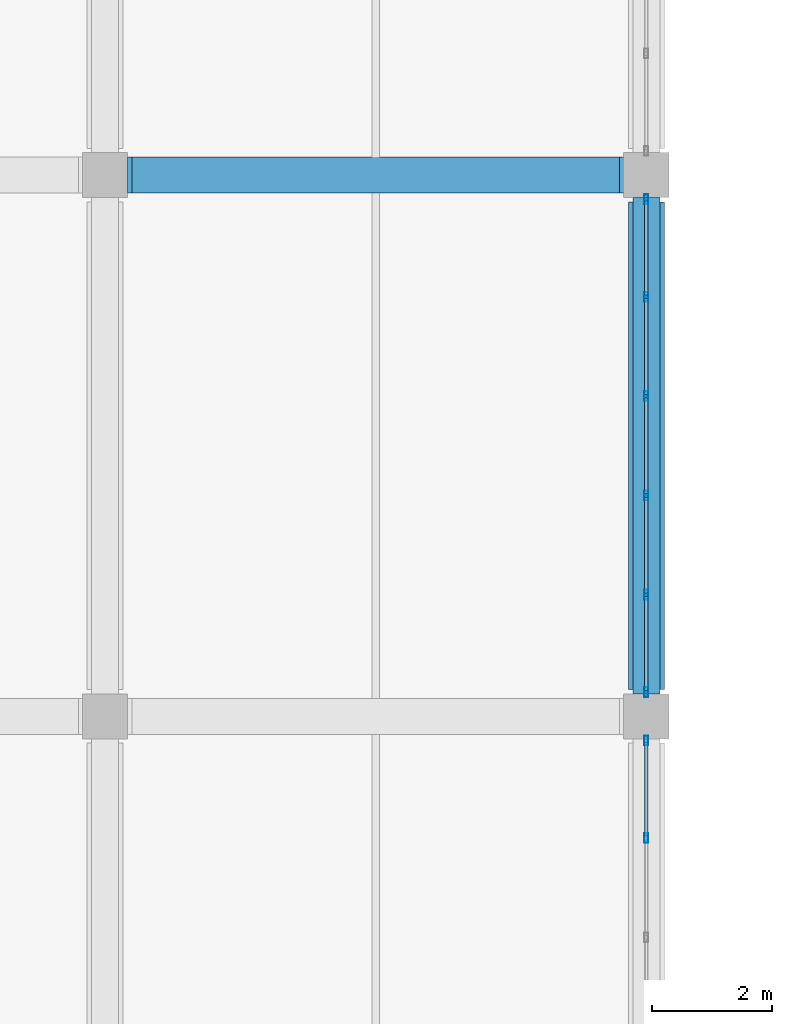
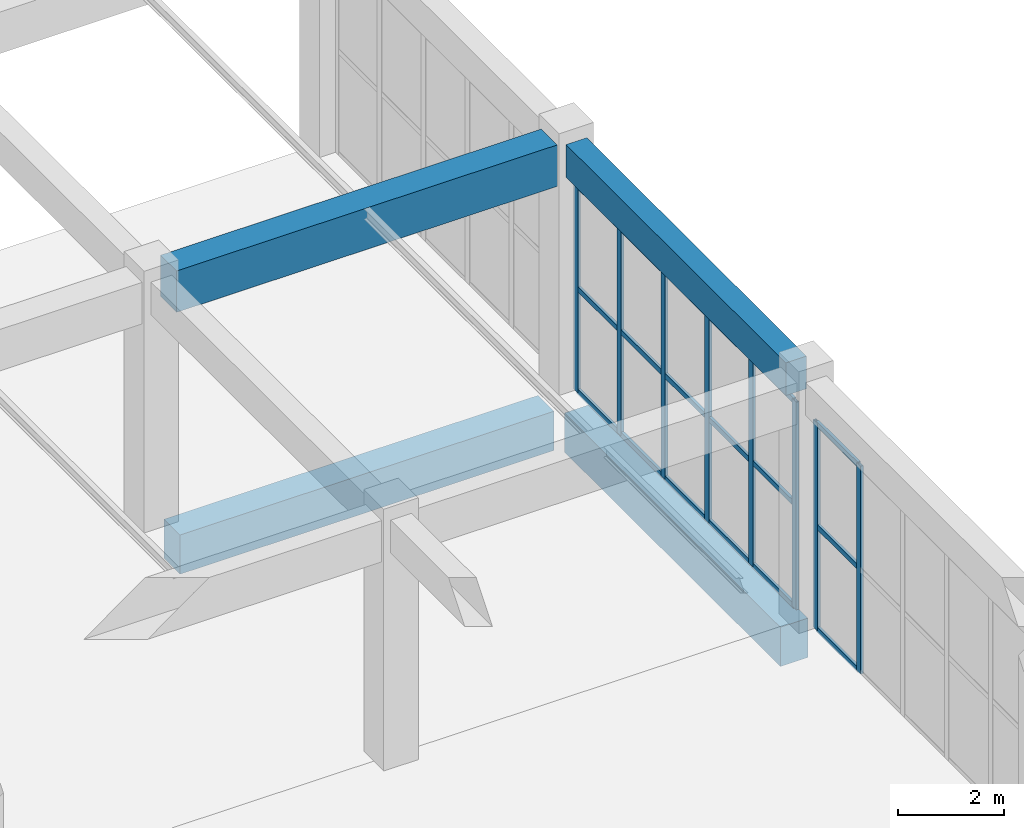
# One storey, part 49 of 91: 26 members, 4 beams, 2 elements without a shape of their own.
"""IFC4 building model written with IfcOpenShell, lengths in metres."""

from ifc_helpers import new_model, si_unit, direction, frame, origin, origin_2d, place, context, subcontext, project, spatial, rectangle, hollow_rectangle, extrude, material, layer, layer_set, material_profile, profile_set, type_object, element, aggregate, save


model = new_model("IFC4")

# Units and contexts
model_context = context("Model", 3, precision=1e-05, world=origin(), true_north=direction((0.0, 1.0)))
body_context = subcontext(model_context, "Body", "Model", "MODEL_VIEW")
ifc_project = project(units=[si_unit("LENGTHUNIT", "METRE"), si_unit("AREAUNIT", "SQUARE_METRE"), si_unit("VOLUMEUNIT", "CUBIC_METRE"), si_unit("PLANEANGLEUNIT", "RADIAN"), si_unit("MASSUNIT", "GRAM", prefix="KILO")], contexts=[model_context])

# Site, building, storey
site_placement = place(None, origin())
site = spatial("IfcSite", under=ifc_project, at=site_placement, CompositionType="ELEMENT")
building_placement = place(site_placement, origin())
building = spatial("IfcBuilding", under=site, at=building_placement, Name="Dornveld Trade and Exhibition Forum", CompositionType="ELEMENT")
storey_placement = place(building_placement, origin())
storey = spatial("IfcBuildingStorey", under=building, at=storey_placement, Name="L00", CompositionType="ELEMENT", Elevation=0.0)

# Beams
ifc_material_1 = material(Name="Concrete C40/50", Category="concrete")
ifc_material_profile_1 = material_profile(ifc_material_1, rectangle(XDim=0.60009765625, YDim=0.89990234375, at=origin_2d()), Name="RC-GB 600x900")
ifc_profile_set_1 = profile_set([ifc_material_profile_1], Name="Concrete C40/50")
beam_type_1 = type_object("IfcBeamType", Name="BM-GB-600x900", PredefinedType="BEAM", material=ifc_profile_set_1)
for number, where, z_axis, x_axis, name in (
    (1, (207.446044921875, 135.0, -0.830078125), (1.0, 0.0, 0.0), (0.0, 1.0, 0.0), "L00 X-girder 541"),
    (2, (216.0, 126.446044921875, -0.830078125), (0.0, 1.0, 0.0), (-1.0, 0.0, 0.0), "L00 Y-girder 565"),
):
    element("IfcBeam", number, at=place(storey_placement, frame(where, z_axis=z_axis, x_axis=x_axis)), inside=storey, type_object=beam_type_1, Name=name, PredefinedType="BEAM", context=body_context, shape_type="SweptSolid", body=[
        extrude(rectangle(XDim=0.60009765625, YDim=0.89990234375, at=origin_2d()), origin(), (0.0, 0.0, 1.0), 8.10791015625),
    ])
ifc_material_2 = material(Name="Precast concrete C50/60", Category="concrete")
ifc_material_profile_2 = material_profile(ifc_material_2, rectangle(XDim=0.449951171875, YDim=0.75, at=origin_2d()), Name="PC-BM 450x750")
ifc_profile_set_2 = profile_set([ifc_material_profile_2], Name="Precast concrete C50/60")
beam_type_2 = type_object("IfcBeamType", Name="BM-PC-450x750", PredefinedType="BEAM", material=ifc_profile_set_2)
beam_1_placement = place(storey_placement, frame((216.0, 126.37109375, 5.324951171875), z_axis=(0.0, 1.0, 0.0), x_axis=(-1.0, 0.0, 0.0)))
element("IfcBeam", 3, at=beam_1_placement, inside=storey, type_object=beam_type_2, Name="L00 Y-girder 1001", PredefinedType="BEAM", context=body_context, shape_type="SweptSolid", body=[
    extrude(rectangle(XDim=0.449951171875, YDim=0.75, at=origin_2d()), origin(), (0.0, 0.0, 1.0), 8.2578125),
])
ifc_material_3 = material(Name="Precast concrete C50/60", Category="concrete")
ifc_material_profile_3 = material_profile(ifc_material_3, rectangle(XDim=0.60009765625, YDim=0.949951171875, at=origin_2d()), Name="PC-GIR 600x950")
ifc_profile_set_3 = profile_set([ifc_material_profile_3], Name="Precast concrete C50/60")
beam_type_3 = type_object("IfcBeamType", Name="BM-PC-600x950", PredefinedType="T_BEAM", material=ifc_profile_set_3)
beam_2_placement = place(storey_placement, frame((207.37109375, 135.0, 5.22509765625), z_axis=(1.0, 0.0, 0.0), x_axis=(0.0, 1.0, 0.0)))
element("IfcBeam", 4, at=beam_2_placement, inside=storey, type_object=beam_type_3, Name="L00 X-girder 973", PredefinedType="T_BEAM", context=body_context, shape_type="SweptSolid", body=[
    extrude(rectangle(XDim=0.60009765625, YDim=0.949951171875, at=origin_2d()), origin(), (0.0, 0.0, 1.0), 8.2578125),
])

# Curtain wall, members
ifc_material_4 = material(Name="Dark-bronze anodised aluminium and low-E glass", Category="aluminium")
ifc_layer_1 = layer(ifc_material_4, 0.175048828125)
ifc_layer_set_1 = layer_set([ifc_layer_1], Name="Dark-bronze anodised aluminium and low-E glass")
curtain_wall_type_1 = type_object("IfcCurtainWallType", Name="CW-SYS-11", PredefinedType="USERDEFINED", material=ifc_layer_set_1)
curtain_wall_1_placement = place(storey_placement, origin())
curtain_wall_1 = element("IfcCurtainWall", 5, at=curtain_wall_1_placement, inside=storey, type_object=curtain_wall_type_1, Name="L00 unitised curtain wall 101", ObjectType="UNITISED_CURTAIN_WALL", PredefinedType="USERDEFINED")
ifc_material_5 = material(Name="Dark-bronze anodised aluminium", Category="aluminium")
ifc_material_profile_4 = material_profile(ifc_material_5, hollow_rectangle(XDim=0.06005859375, YDim=0.159912109375, WallThickness=0.00390625, at=origin_2d()), Name="RHS 160x60x4")
ifc_profile_set_4 = profile_set([ifc_material_profile_4], Name="Dark-bronze anodised aluminium")
member_type_1 = type_object("IfcMemberType", Name="CW-MUL-160", PredefinedType="MULLION", material=ifc_profile_set_4)
member_1_placement = place(storey_placement, frame((216.0, 123.977294921875, -0.00390625), z_axis=(0.0, 0.0, 1.0), x_axis=(-1.0, 0.0, 0.0)))
member_1 = element("IfcMember", 6, at=member_1_placement, type_object=member_type_1, Name="CW-11 mullion 5", PredefinedType="MULLION", context=body_context, shape_type="SweptSolid", body=[
    extrude(hollow_rectangle(XDim=0.06005859375, YDim=0.159912109375, WallThickness=0.00390625, at=origin_2d()), origin(), (0.0, 0.0, 1.0), 4.763916015625),
])
member_2_placement = place(storey_placement, frame((216.0, 125.59912109375, -0.00390625), z_axis=(0.0, 0.0, 1.0), x_axis=(-1.0, 0.0, 0.0)))
member_2 = element("IfcMember", 7, at=member_2_placement, type_object=member_type_1, Name="CW-11 mullion 6", PredefinedType="MULLION", context=body_context, shape_type="SweptSolid", body=[
    extrude(hollow_rectangle(XDim=0.06005859375, YDim=0.159912109375, WallThickness=0.00390625, at=origin_2d()), origin(), (0.0, 0.0, 1.0), 4.763916015625),
])

ifc_material_6 = material(Name="Dark-bronze anodised aluminium and low-E glass", Category="aluminium")
ifc_layer_2 = layer(ifc_material_6, 0.177978515625)
ifc_layer_set_2 = layer_set([ifc_layer_2], Name="Dark-bronze anodised aluminium and low-E glass")
curtain_wall_type_2 = type_object("IfcCurtainWallType", Name="CW-SYS-12", PredefinedType="USERDEFINED", material=ifc_layer_set_2)
curtain_wall_2_placement = place(storey_placement, origin())
curtain_wall_2 = element("IfcCurtainWall", 8, at=curtain_wall_2_placement, inside=storey, type_object=curtain_wall_type_2, Name="L00 unitised curtain wall 102", ObjectType="UNITISED_CURTAIN_WALL", PredefinedType="USERDEFINED")
member_3_placement = place(storey_placement, frame((216.0, 126.40087890625, -0.00390625), z_axis=(0.0, 0.0, 1.0), x_axis=(-1.0, 0.0, 0.0)))
member_3 = element("IfcMember", 9, at=member_3_placement, type_object=member_type_1, Name="CW-12 mullion 1", PredefinedType="MULLION", context=body_context, shape_type="SweptSolid", body=[
    extrude(hollow_rectangle(XDim=0.06005859375, YDim=0.159912109375, WallThickness=0.00390625, at=origin_2d()), origin(), (0.0, 0.0, 1.0), 4.763916015625),
])
member_4_placement = place(storey_placement, frame((216.0, 128.022705078125, -0.00390625), z_axis=(0.0, 0.0, 1.0), x_axis=(-1.0, 0.0, 0.0)))
member_4 = element("IfcMember", 10, at=member_4_placement, type_object=member_type_1, Name="CW-12 mullion 2", PredefinedType="MULLION", context=body_context, shape_type="SweptSolid", body=[
    extrude(hollow_rectangle(XDim=0.06005859375, YDim=0.159912109375, WallThickness=0.00390625, at=origin_2d()), origin(), (0.0, 0.0, 1.0), 4.763916015625),
])
member_5_placement = place(storey_placement, frame((216.0, 129.67431640625, -0.00390625), z_axis=(0.0, 0.0, 1.0), x_axis=(-1.0, 0.0, 0.0)))
member_5 = element("IfcMember", 11, at=member_5_placement, type_object=member_type_1, Name="CW-12 mullion 3", PredefinedType="MULLION", context=body_context, shape_type="SweptSolid", body=[
    extrude(hollow_rectangle(XDim=0.06005859375, YDim=0.159912109375, WallThickness=0.00390625, at=origin_2d()), origin(), (0.0, 0.0, 1.0), 4.763916015625),
])
member_6_placement = place(storey_placement, frame((216.0, 131.32568359375, -0.00390625), z_axis=(0.0, 0.0, 1.0), x_axis=(-1.0, 0.0, 0.0)))
member_6 = element("IfcMember", 12, at=member_6_placement, type_object=member_type_1, Name="CW-12 mullion 4", PredefinedType="MULLION", context=body_context, shape_type="SweptSolid", body=[
    extrude(hollow_rectangle(XDim=0.06005859375, YDim=0.159912109375, WallThickness=0.00390625, at=origin_2d()), origin(), (0.0, 0.0, 1.0), 4.763916015625),
])
member_7_placement = place(storey_placement, frame((216.0, 132.977294921875, -0.00390625), z_axis=(0.0, 0.0, 1.0), x_axis=(-1.0, 0.0, 0.0)))
member_7 = element("IfcMember", 13, at=member_7_placement, type_object=member_type_1, Name="CW-12 mullion 5", PredefinedType="MULLION", context=body_context, shape_type="SweptSolid", body=[
    extrude(hollow_rectangle(XDim=0.06005859375, YDim=0.159912109375, WallThickness=0.00390625, at=origin_2d()), origin(), (0.0, 0.0, 1.0), 4.763916015625),
])
member_8_placement = place(storey_placement, frame((216.0, 134.59912109375, -0.00390625), z_axis=(0.0, 0.0, 1.0), x_axis=(-1.0, 0.0, 0.0)))
member_8 = element("IfcMember", 14, at=member_8_placement, type_object=member_type_1, Name="CW-12 mullion 6", PredefinedType="MULLION", context=body_context, shape_type="SweptSolid", body=[
    extrude(hollow_rectangle(XDim=0.06005859375, YDim=0.159912109375, WallThickness=0.00390625, at=origin_2d()), origin(), (0.0, 0.0, 1.0), 4.763916015625),
])

# Member
ifc_material_7 = material(Name="Dark-bronze anodised aluminium", Category="aluminium")
ifc_material_profile_5 = material_profile(ifc_material_7, hollow_rectangle(XDim=0.06005859375, YDim=0.1201171875, WallThickness=0.00390625, at=origin_2d()), Name="RHS 120x60x4")
ifc_profile_set_5 = profile_set([ifc_material_profile_5], Name="Dark-bronze anodised aluminium")
member_type_2 = type_object("IfcMemberType", Name="CW-TRN-120", PredefinedType="USERDEFINED", material=ifc_profile_set_5)
member_9_placement = place(storey_placement, frame((216.0, 124.00732421875, 0.02587890625), z_axis=(0.0, 1.0, 0.0), x_axis=(-1.0, 0.0, 0.0)))
member_9 = element("IfcMember", 15, at=member_9_placement, type_object=member_type_2, Name="CW-11 transom 5.1", ObjectType="TRANSOM", PredefinedType="USERDEFINED", context=body_context, shape_type="SweptSolid", body=[
    extrude(hollow_rectangle(XDim=0.06005859375, YDim=0.1201171875, WallThickness=0.00390625, at=origin_2d()), origin(), (0.0, 0.0, 1.0), 1.561767578125),
])

member_10_placement = place(storey_placement, frame((216.0, 124.00732421875, 2.3779296875), z_axis=(0.0, 1.0, 0.0), x_axis=(-1.0, 0.0, 0.0)))
member_10 = element("IfcMember", 16, at=member_10_placement, type_object=member_type_2, Name="CW-11 transom 5.2", ObjectType="TRANSOM", PredefinedType="USERDEFINED", context=body_context, shape_type="SweptSolid", body=[
    extrude(hollow_rectangle(XDim=0.06005859375, YDim=0.1201171875, WallThickness=0.00390625, at=origin_2d()), origin(), (0.0, 0.0, 1.0), 1.561767578125),
])

member_11_placement = place(storey_placement, frame((216.0, 124.00732421875, 4.72998046875), z_axis=(0.0, 1.0, 0.0), x_axis=(-1.0, 0.0, 0.0)))
member_11 = element("IfcMember", 17, at=member_11_placement, type_object=member_type_2, Name="CW-11 transom 5.3", ObjectType="TRANSOM", PredefinedType="USERDEFINED", context=body_context, shape_type="SweptSolid", body=[
    extrude(hollow_rectangle(XDim=0.06005859375, YDim=0.1201171875, WallThickness=0.00390625, at=origin_2d()), origin(), (0.0, 0.0, 1.0), 1.561767578125),
])

aggregate(curtain_wall_1, [member_1, member_2, member_9, member_10, member_11])

member_12_placement = place(storey_placement, frame((216.0, 126.430908203125, 0.02587890625), z_axis=(0.0, 1.0, 0.0), x_axis=(-1.0, 0.0, 0.0)))
member_12 = element("IfcMember", 18, at=member_12_placement, type_object=member_type_2, Name="CW-12 transom 1.1", ObjectType="TRANSOM", PredefinedType="USERDEFINED", context=body_context, shape_type="SweptSolid", body=[
    extrude(hollow_rectangle(XDim=0.06005859375, YDim=0.1201171875, WallThickness=0.00390625, at=origin_2d()), origin(), (0.0, 0.0, 1.0), 1.561767578125),
])

member_13_placement = place(storey_placement, frame((216.0, 126.430908203125, 2.3779296875), z_axis=(0.0, 1.0, 0.0), x_axis=(-1.0, 0.0, 0.0)))
member_13 = element("IfcMember", 19, at=member_13_placement, type_object=member_type_2, Name="CW-12 transom 1.2", ObjectType="TRANSOM", PredefinedType="USERDEFINED", context=body_context, shape_type="SweptSolid", body=[
    extrude(hollow_rectangle(XDim=0.06005859375, YDim=0.1201171875, WallThickness=0.00390625, at=origin_2d()), origin(), (0.0, 0.0, 1.0), 1.561767578125),
])

member_14_placement = place(storey_placement, frame((216.0, 126.430908203125, 4.72998046875), z_axis=(0.0, 1.0, 0.0), x_axis=(-1.0, 0.0, 0.0)))
member_14 = element("IfcMember", 20, at=member_14_placement, type_object=member_type_2, Name="CW-12 transom 1.3", ObjectType="TRANSOM", PredefinedType="USERDEFINED", context=body_context, shape_type="SweptSolid", body=[
    extrude(hollow_rectangle(XDim=0.06005859375, YDim=0.1201171875, WallThickness=0.00390625, at=origin_2d()), origin(), (0.0, 0.0, 1.0), 1.561767578125),
])

member_15_placement = place(storey_placement, frame((216.0, 128.052490234375, 0.02587890625), z_axis=(0.0, 1.0, 0.0), x_axis=(-1.0, 0.0, 0.0)))
member_15 = element("IfcMember", 21, at=member_15_placement, type_object=member_type_2, Name="CW-12 transom 2.1", ObjectType="TRANSOM", PredefinedType="USERDEFINED", context=body_context, shape_type="SweptSolid", body=[
    extrude(hollow_rectangle(XDim=0.06005859375, YDim=0.1201171875, WallThickness=0.00390625, at=origin_2d()), origin(), (0.0, 0.0, 1.0), 1.591796875),
])

member_16_placement = place(storey_placement, frame((216.0, 128.052490234375, 2.3779296875), z_axis=(0.0, 1.0, 0.0), x_axis=(-1.0, 0.0, 0.0)))
member_16 = element("IfcMember", 22, at=member_16_placement, type_object=member_type_2, Name="CW-12 transom 2.2", ObjectType="TRANSOM", PredefinedType="USERDEFINED", context=body_context, shape_type="SweptSolid", body=[
    extrude(hollow_rectangle(XDim=0.06005859375, YDim=0.1201171875, WallThickness=0.00390625, at=origin_2d()), origin(), (0.0, 0.0, 1.0), 1.591796875),
])

member_17_placement = place(storey_placement, frame((216.0, 128.052490234375, 4.72998046875), z_axis=(0.0, 1.0, 0.0), x_axis=(-1.0, 0.0, 0.0)))
member_17 = element("IfcMember", 23, at=member_17_placement, type_object=member_type_2, Name="CW-12 transom 2.3", ObjectType="TRANSOM", PredefinedType="USERDEFINED", context=body_context, shape_type="SweptSolid", body=[
    extrude(hollow_rectangle(XDim=0.06005859375, YDim=0.1201171875, WallThickness=0.00390625, at=origin_2d()), origin(), (0.0, 0.0, 1.0), 1.591796875),
])

member_18_placement = place(storey_placement, frame((216.0, 129.7041015625, 0.02587890625), z_axis=(0.0, 1.0, 0.0), x_axis=(-1.0, 0.0, 0.0)))
member_18 = element("IfcMember", 24, at=member_18_placement, type_object=member_type_2, Name="CW-12 transom 3.1", ObjectType="TRANSOM", PredefinedType="USERDEFINED", context=body_context, shape_type="SweptSolid", body=[
    extrude(hollow_rectangle(XDim=0.06005859375, YDim=0.1201171875, WallThickness=0.00390625, at=origin_2d()), origin(), (0.0, 0.0, 1.0), 1.591796875),
])

member_19_placement = place(storey_placement, frame((216.0, 129.7041015625, 2.3779296875), z_axis=(0.0, 1.0, 0.0), x_axis=(-1.0, 0.0, 0.0)))
member_19 = element("IfcMember", 25, at=member_19_placement, type_object=member_type_2, Name="CW-12 transom 3.2", ObjectType="TRANSOM", PredefinedType="USERDEFINED", context=body_context, shape_type="SweptSolid", body=[
    extrude(hollow_rectangle(XDim=0.06005859375, YDim=0.1201171875, WallThickness=0.00390625, at=origin_2d()), origin(), (0.0, 0.0, 1.0), 1.591796875),
])

member_20_placement = place(storey_placement, frame((216.0, 129.7041015625, 4.72998046875), z_axis=(0.0, 1.0, 0.0), x_axis=(-1.0, 0.0, 0.0)))
member_20 = element("IfcMember", 26, at=member_20_placement, type_object=member_type_2, Name="CW-12 transom 3.3", ObjectType="TRANSOM", PredefinedType="USERDEFINED", context=body_context, shape_type="SweptSolid", body=[
    extrude(hollow_rectangle(XDim=0.06005859375, YDim=0.1201171875, WallThickness=0.00390625, at=origin_2d()), origin(), (0.0, 0.0, 1.0), 1.591796875),
])

member_21_placement = place(storey_placement, frame((216.0, 131.355712890625, 0.02587890625), z_axis=(0.0, 1.0, 0.0), x_axis=(-1.0, 0.0, 0.0)))
member_21 = element("IfcMember", 27, at=member_21_placement, type_object=member_type_2, Name="CW-12 transom 4.1", ObjectType="TRANSOM", PredefinedType="USERDEFINED", context=body_context, shape_type="SweptSolid", body=[
    extrude(hollow_rectangle(XDim=0.06005859375, YDim=0.1201171875, WallThickness=0.00390625, at=origin_2d()), origin(), (0.0, 0.0, 1.0), 1.591796875),
])

member_22_placement = place(storey_placement, frame((216.0, 131.355712890625, 2.3779296875), z_axis=(0.0, 1.0, 0.0), x_axis=(-1.0, 0.0, 0.0)))
member_22 = element("IfcMember", 28, at=member_22_placement, type_object=member_type_2, Name="CW-12 transom 4.2", ObjectType="TRANSOM", PredefinedType="USERDEFINED", context=body_context, shape_type="SweptSolid", body=[
    extrude(hollow_rectangle(XDim=0.06005859375, YDim=0.1201171875, WallThickness=0.00390625, at=origin_2d()), origin(), (0.0, 0.0, 1.0), 1.591796875),
])

member_23_placement = place(storey_placement, frame((216.0, 131.355712890625, 4.72998046875), z_axis=(0.0, 1.0, 0.0), x_axis=(-1.0, 0.0, 0.0)))
member_23 = element("IfcMember", 29, at=member_23_placement, type_object=member_type_2, Name="CW-12 transom 4.3", ObjectType="TRANSOM", PredefinedType="USERDEFINED", context=body_context, shape_type="SweptSolid", body=[
    extrude(hollow_rectangle(XDim=0.06005859375, YDim=0.1201171875, WallThickness=0.00390625, at=origin_2d()), origin(), (0.0, 0.0, 1.0), 1.591796875),
])

member_24_placement = place(storey_placement, frame((216.0, 133.00732421875, 0.02587890625), z_axis=(0.0, 1.0, 0.0), x_axis=(-1.0, 0.0, 0.0)))
member_24 = element("IfcMember", 30, at=member_24_placement, type_object=member_type_2, Name="CW-12 transom 5.1", ObjectType="TRANSOM", PredefinedType="USERDEFINED", context=body_context, shape_type="SweptSolid", body=[
    extrude(hollow_rectangle(XDim=0.06005859375, YDim=0.1201171875, WallThickness=0.00390625, at=origin_2d()), origin(), (0.0, 0.0, 1.0), 1.561767578125),
])

member_25_placement = place(storey_placement, frame((216.0, 133.00732421875, 2.3779296875), z_axis=(0.0, 1.0, 0.0), x_axis=(-1.0, 0.0, 0.0)))
member_25 = element("IfcMember", 31, at=member_25_placement, type_object=member_type_2, Name="CW-12 transom 5.2", ObjectType="TRANSOM", PredefinedType="USERDEFINED", context=body_context, shape_type="SweptSolid", body=[
    extrude(hollow_rectangle(XDim=0.06005859375, YDim=0.1201171875, WallThickness=0.00390625, at=origin_2d()), origin(), (0.0, 0.0, 1.0), 1.561767578125),
])

member_26_placement = place(storey_placement, frame((216.0, 133.00732421875, 4.72998046875), z_axis=(0.0, 1.0, 0.0), x_axis=(-1.0, 0.0, 0.0)))
member_26 = element("IfcMember", 32, at=member_26_placement, type_object=member_type_2, Name="CW-12 transom 5.3", ObjectType="TRANSOM", PredefinedType="USERDEFINED", context=body_context, shape_type="SweptSolid", body=[
    extrude(hollow_rectangle(XDim=0.06005859375, YDim=0.1201171875, WallThickness=0.00390625, at=origin_2d()), origin(), (0.0, 0.0, 1.0), 1.561767578125),
])

aggregate(curtain_wall_2, [member_3, member_4, member_5, member_6, member_7, member_8, member_12, member_13, member_14, member_15, member_16, member_17, member_18, member_19, member_20, member_21, member_22, member_23, member_24, member_25, member_26])

save(model, "model.ifc")
